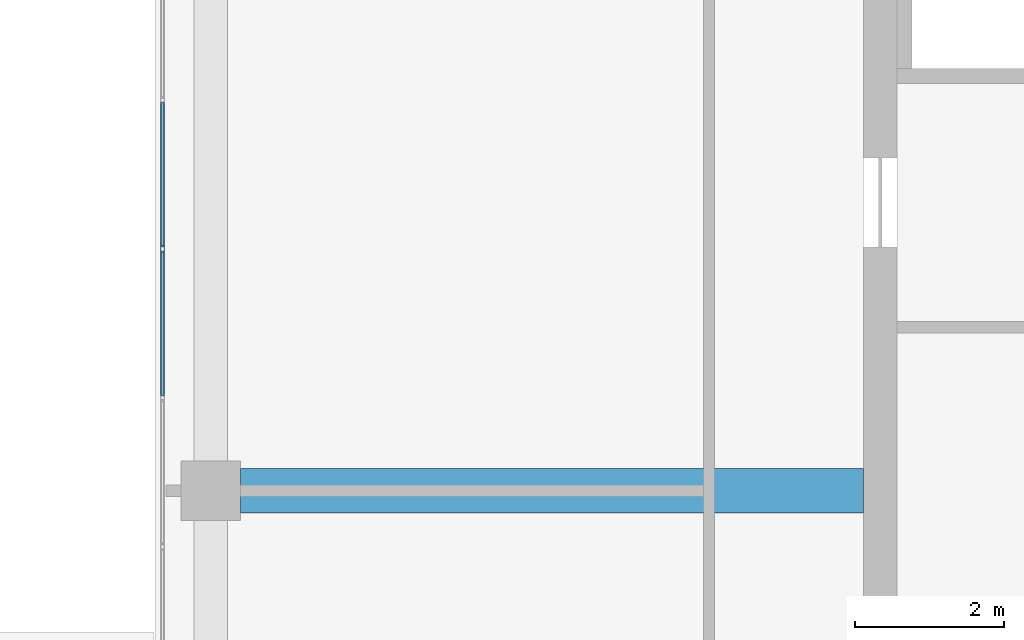
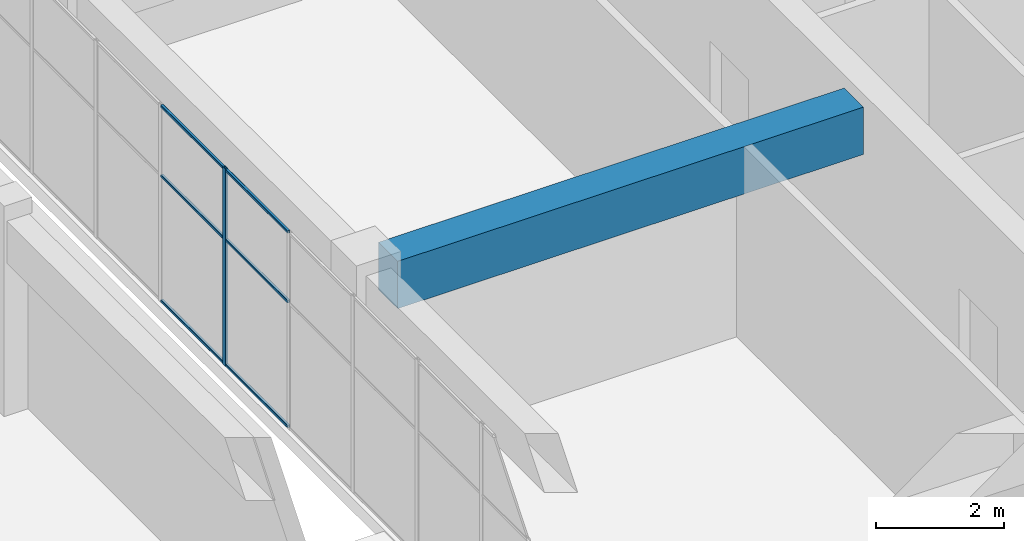
# One storey, part 27 of 66: 7 members, 1 beam, 1 element without a shape of its own.
"""IFC4 building model written with IfcOpenShell, lengths in metres."""

from ifc_helpers import new_model, si_unit, direction, frame, origin, origin_2d, place, context, subcontext, project, spatial, rectangle, hollow_rectangle, extrude, material, layer, layer_set, material_profile, profile_set, type_object, element, aggregate, save


model = new_model("IFC4")

# Units and contexts
model_context = context("Model", 3, precision=1e-05, world=origin(), true_north=direction((0.0, 1.0)))
body_context = subcontext(model_context, "Body", "Model", "MODEL_VIEW")
ifc_project = project(units=[si_unit("LENGTHUNIT", "METRE"), si_unit("AREAUNIT", "SQUARE_METRE"), si_unit("VOLUMEUNIT", "CUBIC_METRE"), si_unit("PLANEANGLEUNIT", "RADIAN"), si_unit("MASSUNIT", "GRAM", prefix="KILO")], contexts=[model_context])

# Site, building, storey
site_placement = place(None, origin())
site = spatial("IfcSite", under=ifc_project, at=site_placement, CompositionType="ELEMENT")
building_placement = place(site_placement, origin())
building = spatial("IfcBuilding", under=site, at=building_placement, Name="Tuart Plaza Theatre", CompositionType="ELEMENT")
storey_placement = place(building_placement, frame((0.0, 0.0, 5.5)))
storey = spatial("IfcBuildingStorey", under=building, at=storey_placement, Name="L01", CompositionType="ELEMENT", Elevation=5.5)

# Beam
ifc_material_1 = material(Name="Concrete N40 (40 MPa)", Category="concrete")
ifc_material_profile_1 = material_profile(ifc_material_1, rectangle(XDim=0.60009765625, YDim=0.89990234375, at=origin_2d()), Name="BEAM 600x900 Concrete N40 (40 MPa)")
ifc_profile_set_1 = profile_set([ifc_material_profile_1], Name="Concrete N40 (40 MPa)")
beam_type = type_object("IfcBeamType", Name="BEAM 600x900 Concrete N40 (40 MPa)", PredefinedType="BEAM", material=ifc_profile_set_1)
beam_placement = place(storey_placement, frame((114.39990234375, 74.0, 3.300048828125), z_axis=(1.0, 0.0, 0.0), x_axis=(0.0, 1.0, 0.0)))
element("IfcBeam", 1, at=beam_placement, inside=storey, type_object=beam_type, Name="RB167", PredefinedType="BEAM", context=body_context, shape_type="SweptSolid", body=[
    extrude(rectangle(XDim=0.60009765625, YDim=0.89990234375, at=origin_2d()), origin(), (0.0, 0.0, 1.0), 8.375),
])

# Curtain wall, members
ifc_material_2 = material(Name="Aluminium and glass", Category="aluminium")
ifc_layer = layer(ifc_material_2, 0.10009765625)
ifc_layer_set = layer_set([ifc_layer], Name="CURTAIN WALL 2000 module")
curtain_wall_type = type_object("IfcCurtainWallType", Name="CURTAIN WALL 2000 module", PredefinedType="NOTDEFINED", material=ifc_layer_set)
curtain_wall_placement = place(storey_placement, origin())
curtain_wall = element("IfcCurtainWall", 2, at=curtain_wall_placement, inside=storey, type_object=curtain_wall_type, Name="CW73", PredefinedType="NOTDEFINED")
ifc_material_3 = material(Name="Aluminium 6063-T5", Category="aluminium")
ifc_material_profile_2 = material_profile(ifc_material_3, hollow_rectangle(XDim=0.050048828125, YDim=0.10009765625, WallThickness=0.00390625, InnerFilletRadius=0.00390625, OuterFilletRadius=0.008056640625, at=origin_2d()), Name="RHS 100x50x4")
ifc_profile_set_2 = profile_set([ifc_material_profile_2], Name="Aluminium 6063-T5")
member_type_1 = type_object("IfcMemberType", Name="MULLION RHS 100x50x4", PredefinedType="MULLION", material=ifc_profile_set_2)
member_1_placement = place(storey_placement, frame((113.35009765625, 77.25, 0.0), z_axis=(0.0, 0.0, 1.0), x_axis=(1.0, 0.0, 0.0)))
member_1 = element("IfcMember", 3, at=member_1_placement, type_object=member_type_1, Name="CW73 mullion 11", PredefinedType="MULLION", context=body_context, shape_type="SweptSolid", body=[
    extrude(hollow_rectangle(XDim=0.050048828125, YDim=0.10009765625, WallThickness=0.00390625, InnerFilletRadius=0.00390625, OuterFilletRadius=0.008056640625, at=origin_2d()), origin(), (0.0, 0.0, 1.0), 3.75),
])
ifc_material_4 = material(Name="Aluminium 6063-T5", Category="aluminium")
ifc_material_profile_3 = material_profile(ifc_material_4, hollow_rectangle(XDim=0.050048828125, YDim=0.050048828125, WallThickness=0.00390625, InnerFilletRadius=0.00390625, OuterFilletRadius=0.008056640625, at=origin_2d()), Name="RHS 50x50x4")
ifc_profile_set_3 = profile_set([ifc_material_profile_3], Name="Aluminium 6063-T5")
member_type_2 = type_object("IfcMemberType", Name="TRANSOM RHS 50x50x4", PredefinedType="USERDEFINED", material=ifc_profile_set_3)
member_2_placement = place(storey_placement, frame((113.35009765625, 79.22509765625, 0.02490234375), z_axis=(0.0, -1.0, 0.0), x_axis=(1.0, 0.0, 0.0)))
member_2 = element("IfcMember", 4, at=member_2_placement, type_object=member_type_2, Name="CW73 transom 10.1", ObjectType="TRANSOM", PredefinedType="USERDEFINED", context=body_context, shape_type="SweptSolid", body=[
    extrude(hollow_rectangle(XDim=0.050048828125, YDim=0.050048828125, WallThickness=0.00390625, InnerFilletRadius=0.00390625, OuterFilletRadius=0.008056640625, at=origin_2d()), origin(), (0.0, 0.0, 1.0), 1.9501953125),
])
member_3_placement = place(storey_placement, frame((113.35009765625, 79.22509765625, 2.39990234375), z_axis=(0.0, -1.0, 0.0), x_axis=(1.0, 0.0, 0.0)))
member_3 = element("IfcMember", 5, at=member_3_placement, type_object=member_type_2, Name="CW73 transom 10.2", ObjectType="TRANSOM", PredefinedType="USERDEFINED", context=body_context, shape_type="SweptSolid", body=[
    extrude(hollow_rectangle(XDim=0.050048828125, YDim=0.050048828125, WallThickness=0.00390625, InnerFilletRadius=0.00390625, OuterFilletRadius=0.008056640625, at=origin_2d()), origin(), (0.0, 0.0, 1.0), 1.9501953125),
])
member_4_placement = place(storey_placement, frame((113.35009765625, 79.22509765625, 3.72509765625), z_axis=(0.0, -1.0, 0.0), x_axis=(1.0, 0.0, 0.0)))
member_4 = element("IfcMember", 6, at=member_4_placement, type_object=member_type_2, Name="CW73 transom 10.3", ObjectType="TRANSOM", PredefinedType="USERDEFINED", context=body_context, shape_type="SweptSolid", body=[
    extrude(hollow_rectangle(XDim=0.050048828125, YDim=0.050048828125, WallThickness=0.00390625, InnerFilletRadius=0.00390625, OuterFilletRadius=0.008056640625, at=origin_2d()), origin(), (0.0, 0.0, 1.0), 1.9501953125),
])
member_5_placement = place(storey_placement, frame((113.35009765625, 77.22509765625, 0.02490234375), z_axis=(0.0, -1.0, 0.0), x_axis=(1.0, 0.0, 0.0)))
member_5 = element("IfcMember", 7, at=member_5_placement, type_object=member_type_2, Name="CW73 transom 11.1", ObjectType="TRANSOM", PredefinedType="USERDEFINED", context=body_context, shape_type="SweptSolid", body=[
    extrude(hollow_rectangle(XDim=0.050048828125, YDim=0.050048828125, WallThickness=0.00390625, InnerFilletRadius=0.00390625, OuterFilletRadius=0.008056640625, at=origin_2d()), origin(), (0.0, 0.0, 1.0), 1.9501953125),
])
member_6_placement = place(storey_placement, frame((113.35009765625, 77.22509765625, 2.39990234375), z_axis=(0.0, -1.0, 0.0), x_axis=(1.0, 0.0, 0.0)))
member_6 = element("IfcMember", 8, at=member_6_placement, type_object=member_type_2, Name="CW73 transom 11.2", ObjectType="TRANSOM", PredefinedType="USERDEFINED", context=body_context, shape_type="SweptSolid", body=[
    extrude(hollow_rectangle(XDim=0.050048828125, YDim=0.050048828125, WallThickness=0.00390625, InnerFilletRadius=0.00390625, OuterFilletRadius=0.008056640625, at=origin_2d()), origin(), (0.0, 0.0, 1.0), 1.9501953125),
])
member_7_placement = place(storey_placement, frame((113.35009765625, 77.22509765625, 3.72509765625), z_axis=(0.0, -1.0, 0.0), x_axis=(1.0, 0.0, 0.0)))
member_7 = element("IfcMember", 9, at=member_7_placement, type_object=member_type_2, Name="CW73 transom 11.3", ObjectType="TRANSOM", PredefinedType="USERDEFINED", context=body_context, shape_type="SweptSolid", body=[
    extrude(hollow_rectangle(XDim=0.050048828125, YDim=0.050048828125, WallThickness=0.00390625, InnerFilletRadius=0.00390625, OuterFilletRadius=0.008056640625, at=origin_2d()), origin(), (0.0, 0.0, 1.0), 1.9501953125),
])
aggregate(curtain_wall, [member_1, member_2, member_3, member_4, member_5, member_6, member_7])

save(model, "model.ifc")
